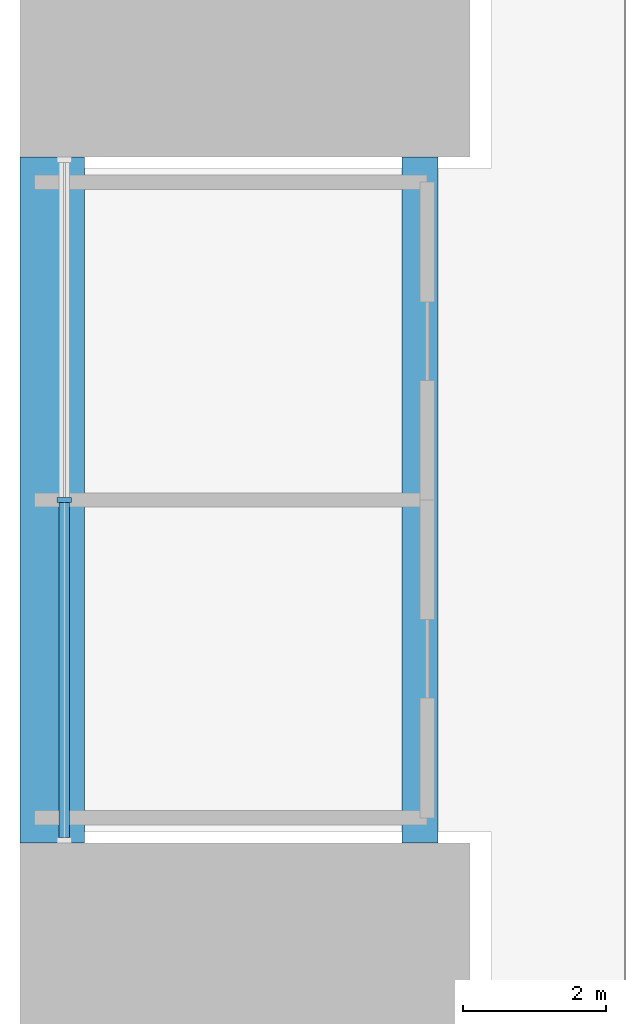
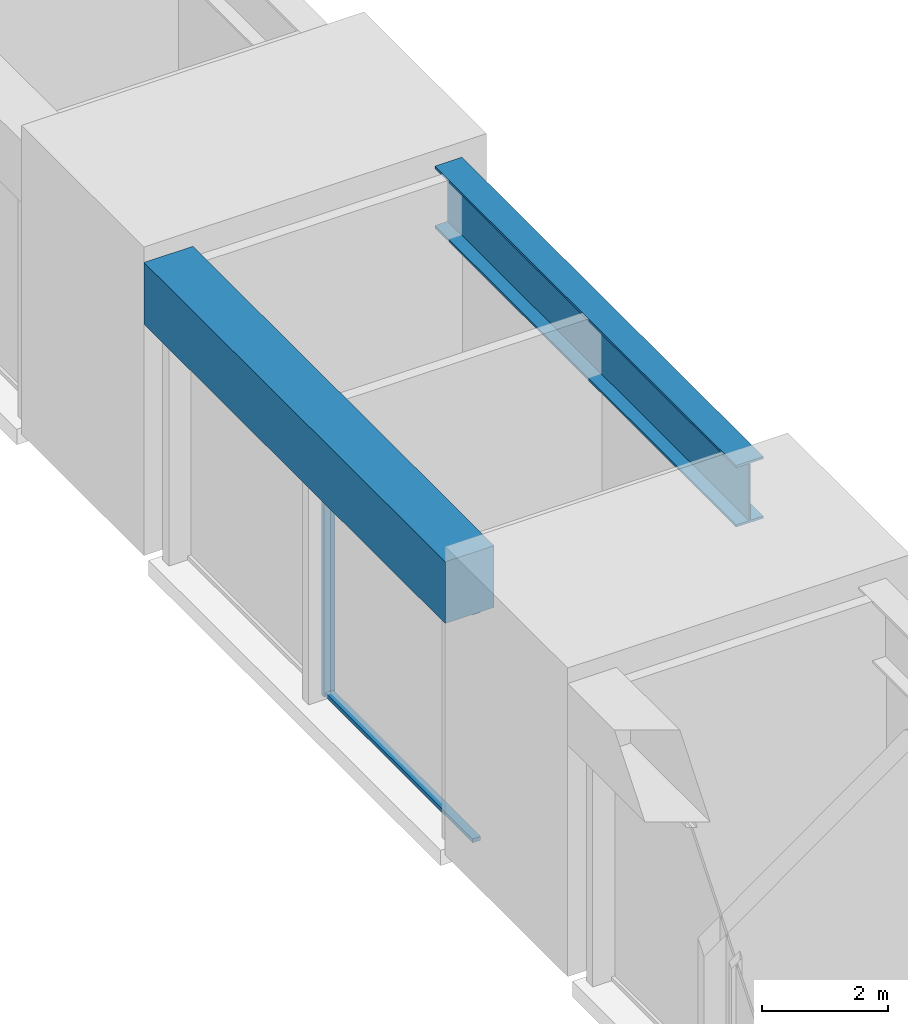
# One storey, part 3 of 41: 3 members, 2 beams, 1 element without a shape of its own.
"""IFC4 building model written with IfcOpenShell, lengths in metres."""

from ifc_helpers import new_model, si_unit, direction, frame, origin, origin_2d, place, context, subcontext, project, spatial, rectangle, i_section, extrude, material, layer, layer_set, material_profile, profile_set, type_object, element, aggregate, save


model = new_model("IFC4")

# Units and contexts
model_context = context("Model", 3, precision=1e-05, world=origin(), true_north=direction((0.0, 1.0)))
body_context = subcontext(model_context, "Body", "Model", "MODEL_VIEW")
ifc_project = project(units=[si_unit("LENGTHUNIT", "METRE"), si_unit("AREAUNIT", "SQUARE_METRE"), si_unit("VOLUMEUNIT", "CUBIC_METRE"), si_unit("PLANEANGLEUNIT", "RADIAN"), si_unit("MASSUNIT", "GRAM", prefix="KILO")], contexts=[model_context])

# Site, building, storey
site_placement = place(None, origin())
site = spatial("IfcSite", under=ifc_project, at=site_placement, CompositionType="ELEMENT")
building_placement = place(site_placement, origin())
building = spatial("IfcBuilding", under=site, at=building_placement, Name="Corbelhall Arena Tower", CompositionType="ELEMENT")
storey_placement = place(building_placement, frame((0.0, 0.0, 19.0)))
storey = spatial("IfcBuildingStorey", under=building, at=storey_placement, Name="L02", CompositionType="ELEMENT", Elevation=19.0)

# Curtain wall, members
ifc_material_1 = material(Name="Aluminium black anodised", Category="aluminium")
ifc_layer = layer(ifc_material_1, 0.239990234375)
ifc_layer_set = layer_set([ifc_layer], Name="EV-CW4 Arena concourse glazing")
curtain_wall_type = type_object("IfcCurtainWallType", Name="EV-CW4 Arena concourse glazing", PredefinedType="NOTDEFINED", material=ifc_layer_set)
curtain_wall_placement = place(storey_placement, origin())
curtain_wall = element("IfcCurtainWall", 1, at=curtain_wall_placement, inside=storey, type_object=curtain_wall_type, Name="Curtain wall CW4", PredefinedType="NOTDEFINED")
ifc_material_profile_1 = material_profile(ifc_material_1, rectangle(XDim=0.199951171875, YDim=0.074951171875, at=origin_2d()))
ifc_profile_set_1 = profile_set([ifc_material_profile_1], Name="Aluminium black anodised")
member_type_1 = type_object("IfcMemberType", Name="EV-CW4-MULLION", PredefinedType="MULLION", material=ifc_profile_set_1)
member_1_placement = place(storey_placement, frame((-47.3798828125, -6.75, 0.0), z_axis=(0.0, 0.0, 1.0), x_axis=(1.0, 0.0, 0.0)))
member_1 = element("IfcMember", 2, at=member_1_placement, type_object=member_type_1, Name="CW4 mullion 2", PredefinedType="MULLION", context=body_context, shape_type="SweptSolid", body=[
    extrude(rectangle(XDim=0.199951171875, YDim=0.074951171875, at=origin_2d()), origin(), (0.0, 0.0, 1.0), 4.5),
])
ifc_material_profile_2 = material_profile(ifc_material_1, rectangle(XDim=0.14990234375, YDim=0.074951171875, at=origin_2d()))
ifc_profile_set_2 = profile_set([ifc_material_profile_2], Name="Aluminium black anodised")
member_type_2 = type_object("IfcMemberType", Name="EV-CW4-TRANSOM", PredefinedType="USERDEFINED", material=ifc_profile_set_2)
member_2_placement = place(storey_placement, frame((-47.3798828125, -6.78759765625, 0.03759765625), z_axis=(0.0, -1.0, 0.0), x_axis=(1.0, 0.0, 0.0)))
member_2 = element("IfcMember", 3, at=member_2_placement, type_object=member_type_2, Name="CW4 transom 2.1", ObjectType="transom", PredefinedType="USERDEFINED", context=body_context, shape_type="SweptSolid", body=[
    extrude(rectangle(XDim=0.14990234375, YDim=0.074951171875, at=origin_2d()), origin(), (0.0, 0.0, 1.0), 4.6875),
])
member_3_placement = place(storey_placement, frame((-47.3798828125, -6.78759765625, 4.46240234375), z_axis=(0.0, -1.0, 0.0), x_axis=(1.0, 0.0, 0.0)))
member_3 = element("IfcMember", 4, at=member_3_placement, type_object=member_type_2, Name="CW4 transom 2.2", ObjectType="transom", PredefinedType="USERDEFINED", context=body_context, shape_type="SweptSolid", body=[
    extrude(rectangle(XDim=0.14990234375, YDim=0.074951171875, at=origin_2d()), origin(), (0.0, 0.0, 1.0), 4.6875),
])
aggregate(curtain_wall, [member_1, member_2, member_3])

# Beams
ifc_material_2 = material(Name="Steel ASTM A572 Gr50", Category="steel")
ifc_material_profile_3 = material_profile(ifc_material_2, i_section(OverallWidth=0.5, OverallDepth=1.199951171875, WebThickness=0.02490234375, FlangeThickness=0.044921875, at=origin_2d()))
ifc_profile_set_3 = profile_set([ifc_material_profile_3], Name="Steel ASTM A572 Gr50")
beam_type_1 = type_object("IfcBeamType", Name="PO-GIRDER-PG1200X500X25X45", PredefinedType="BEAM", material=ifc_profile_set_3)
beam_1_placement = place(storey_placement, frame((-42.39990234375, -11.550048828125, 5.10009765625), z_axis=(0.0, 1.0, 0.0), x_axis=(-1.0, 0.0, 0.0)))
element("IfcBeam", 5, at=beam_1_placement, inside=storey, type_object=beam_type_1, Name="INNER END GIRDER", PredefinedType="BEAM", context=body_context, shape_type="SweptSolid", body=[
    extrude(i_section(OverallWidth=0.5, OverallDepth=1.199951171875, WebThickness=0.02490234375, FlangeThickness=0.044921875, at=origin_2d()), origin(), (0.0, 0.0, 1.0), 9.60009765625),
])
ifc_material_3 = material(Name="Concrete C80/95", Category="concrete")
ifc_material_profile_4 = material_profile(ifc_material_3, rectangle(XDim=0.89990234375, YDim=1.199951171875, at=origin_2d()))
ifc_profile_set_4 = profile_set([ifc_material_profile_4], Name="Concrete C80/95")
beam_type_2 = type_object("IfcBeamType", Name="PO-RING-BEAM", PredefinedType="BEAM", material=ifc_profile_set_4)
beam_2_placement = place(storey_placement, frame((-47.550048828125, -11.550048828125, 5.10009765625), z_axis=(0.0, 1.0, 0.0), x_axis=(-1.0, 0.0, 0.0)))
element("IfcBeam", 6, at=beam_2_placement, inside=storey, type_object=beam_type_2, Name="RING GIRDER L03 W2", PredefinedType="BEAM", context=body_context, shape_type="SweptSolid", body=[
    extrude(rectangle(XDim=0.89990234375, YDim=1.199951171875, at=origin_2d()), origin(), (0.0, 0.0, 1.0), 9.60009765625),
])

save(model, "model.ifc")
